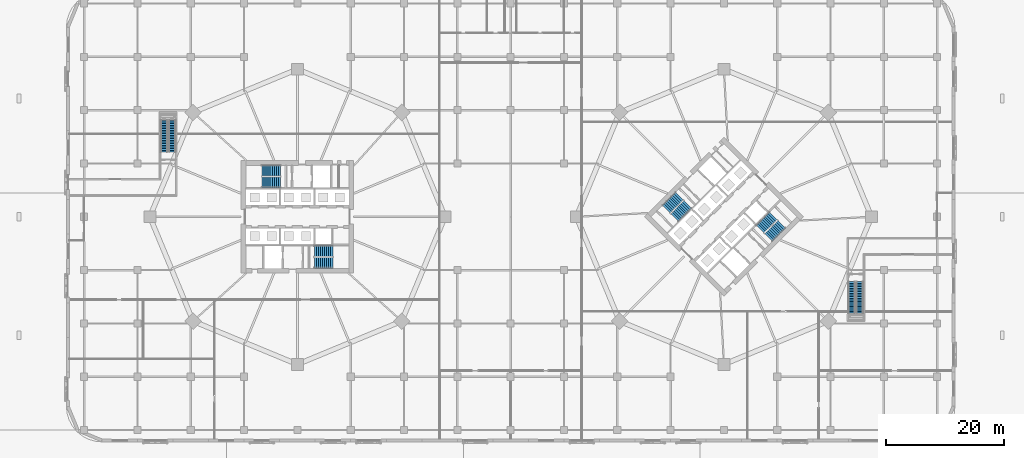
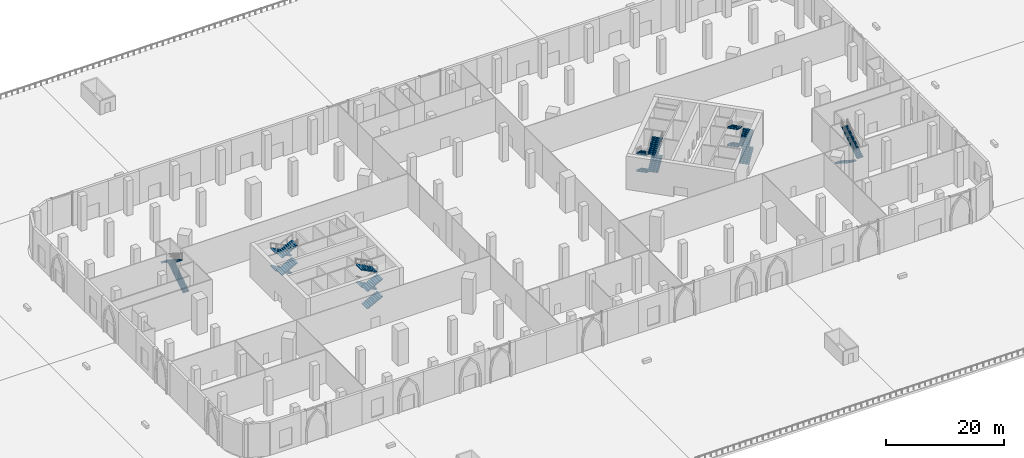
# One storey, part 35 of 48: 20 stair flights, 6 elements without a shape of their own.
"""IFC4 building model written with IfcOpenShell, lengths in metres."""

from ifc_helpers import new_model, si_unit, direction, frame, origin, place, context, subcontext, project, spatial, polyline, outline, extrude, material, type_object, element, aggregate, save


model = new_model("IFC4")

# Units and contexts
model_context = context("Model", 3, precision=1e-05, world=origin(), true_north=direction((0.0, 1.0)))
body_context = subcontext(model_context, "Body", "Model", "MODEL_VIEW")
ifc_project = project(units=[si_unit("LENGTHUNIT", "METRE"), si_unit("AREAUNIT", "SQUARE_METRE"), si_unit("VOLUMEUNIT", "CUBIC_METRE"), si_unit("PLANEANGLEUNIT", "RADIAN"), si_unit("MASSUNIT", "GRAM", prefix="KILO")], contexts=[model_context])

# Site, building, storey
site_placement = place(None, origin())
site = spatial("IfcSite", under=ifc_project, at=site_placement, CompositionType="ELEMENT")
building_placement = place(site_placement, origin())
building = spatial("IfcBuilding", under=site, at=building_placement, Name="Ogive Gate Towers", CompositionType="ELEMENT")
storey_placement = place(building_placement, origin())
storey = spatial("IfcBuildingStorey", under=building, at=storey_placement, Name="L00", CompositionType="ELEMENT", Elevation=0.0)

# Stair, stair flights
ifc_material_1 = material(Name="Reinforced concrete C32/40", Category="concrete")
stair_type_1 = type_object("IfcStairType", Name="Escape stair 180 x 280", PredefinedType="HALF_TURN_STAIR", material=ifc_material_1)
stair_1_placement = place(storey_placement, origin())
stair_1 = element("IfcStair", 1, at=stair_1_placement, inside=storey, type_object=stair_type_1, Name="L00 escape stair", PredefinedType="HALF_TURN_STAIR")
stair_flight_type_1 = type_object("IfcStairFlightType", Name="Escape stair flight 180 x 280", PredefinedType="STRAIGHT", material=ifc_material_1)
stair_flight_1_placement = place(storey_placement, frame((-57.14990234375, 10.949951171875, 0.0), z_axis=(0.0, 0.0, 1.0), x_axis=(0.0, 1.0, 0.0)))
stair_flight_1 = element("IfcStairFlight", 2, at=stair_flight_1_placement, type_object=stair_flight_type_1, Name="PS1 flight 1", NumberOfRisers=20, NumberOfTreads=19, PredefinedType="STRAIGHT", RiserHeight=0.18, TreadLength=0.28, context=body_context, shape_type="SweptSolid", body=[
    extrude(outline(polyline([(0.0, 0.0), (0.0, 0.179931640625), (0.280029296875, 0.179931640625), (0.280029296875, 0.360107421875), (0.56005859375, 0.360107421875), (0.56005859375, 0.5400390625), (0.840087890625, 0.5400390625), (0.840087890625, 0.719970703125), (1.1201171875, 0.719970703125), (1.1201171875, 0.89990234375), (1.39990234375, 0.89990234375), (1.39990234375, 1.080078125), (1.679931640625, 1.080078125), (1.679931640625, 1.260009765625), (1.9599609375, 1.260009765625), (1.9599609375, 1.43994140625), (2.239990234375, 1.43994140625), (2.239990234375, 1.6201171875), (2.52001953125, 1.6201171875), (2.52001953125, 1.800048828125), (2.800048828125, 1.800048828125), (2.800048828125, 1.97998046875), (3.080078125, 1.97998046875), (3.080078125, 2.159912109375), (3.360107421875, 2.159912109375), (3.360107421875, 2.340087890625), (3.639892578125, 2.340087890625), (3.639892578125, 2.52001953125), (3.919921875, 2.52001953125), (3.919921875, 2.699951171875), (4.199951171875, 2.699951171875), (4.199951171875, 2.8798828125), (4.47998046875, 2.8798828125), (4.47998046875, 3.06005859375), (4.760009765625, 3.06005859375), (4.760009765625, 3.239990234375), (5.0400390625, 3.239990234375), (5.0400390625, 3.419921875), (5.320068359375, 3.419921875), (5.320068359375, 3.60009765625), (5.320068359375, 3.24169921875), (0.277099609375, 0.0), (0.0, 0.0)])), frame((0.0, 0.60009765625, 0.0), z_axis=(0.0, -1.0, 0.0), x_axis=(1.0, 0.0, 0.0)), (0.0, 0.0, 1.0), 1.199951171875),
])
stair_flight_2_placement = place(storey_placement, frame((-58.5, 16.27001953125, 3.60009765625), z_axis=(0.0, 0.0, 1.0), x_axis=(0.0, -1.0, 0.0)))
stair_flight_2 = element("IfcStairFlight", 3, at=stair_flight_2_placement, type_object=stair_flight_type_1, Name="PS1 flight 2", NumberOfRisers=20, NumberOfTreads=19, PredefinedType="STRAIGHT", RiserHeight=0.18, TreadLength=0.28, context=body_context, shape_type="SweptSolid", body=[
    extrude(outline(polyline([(0.0, 0.0), (0.0, 0.179931640625), (0.280029296875, 0.179931640625), (0.280029296875, 0.360107421875), (0.56005859375, 0.360107421875), (0.56005859375, 0.5400390625), (0.840087890625, 0.5400390625), (0.840087890625, 0.719970703125), (1.1201171875, 0.719970703125), (1.1201171875, 0.89990234375), (1.39990234375, 0.89990234375), (1.39990234375, 1.080078125), (1.679931640625, 1.080078125), (1.679931640625, 1.260009765625), (1.9599609375, 1.260009765625), (1.9599609375, 1.43994140625), (2.239990234375, 1.43994140625), (2.239990234375, 1.6201171875), (2.52001953125, 1.6201171875), (2.52001953125, 1.800048828125), (2.800048828125, 1.800048828125), (2.800048828125, 1.97998046875), (3.080078125, 1.97998046875), (3.080078125, 2.159912109375), (3.360107421875, 2.159912109375), (3.360107421875, 2.340087890625), (3.639892578125, 2.340087890625), (3.639892578125, 2.52001953125), (3.919921875, 2.52001953125), (3.919921875, 2.699951171875), (4.199951171875, 2.699951171875), (4.199951171875, 2.8798828125), (4.47998046875, 2.8798828125), (4.47998046875, 3.06005859375), (4.760009765625, 3.06005859375), (4.760009765625, 3.239990234375), (5.0400390625, 3.239990234375), (5.0400390625, 3.419921875), (5.320068359375, 3.419921875), (5.320068359375, 3.60009765625), (5.320068359375, 3.24169921875), (0.277099609375, 0.0), (0.0, 0.0)])), frame((0.0, 0.60009765625, 0.0), z_axis=(0.0, -1.0, 0.0), x_axis=(1.0, 0.0, 0.0)), (0.0, 0.0, 1.0), 1.199951171875),
])
aggregate(stair_1, [stair_flight_1, stair_flight_2])

stair_2_placement = place(storey_placement, origin())
stair_2 = element("IfcStair", 4, at=stair_2_placement, inside=storey, type_object=stair_type_1, Name="L00 escape stair", PredefinedType="HALF_TURN_STAIR")
stair_flight_3_placement = place(storey_placement, frame((57.60009765625, -10.949951171875, 0.0), z_axis=(0.0, 0.0, 1.0), x_axis=(0.0, -1.0, 0.0)))
stair_flight_3 = element("IfcStairFlight", 5, at=stair_flight_3_placement, type_object=stair_flight_type_1, Name="PS2 flight 1", NumberOfRisers=20, NumberOfTreads=19, PredefinedType="STRAIGHT", RiserHeight=0.18, TreadLength=0.28, context=body_context, shape_type="SweptSolid", body=[
    extrude(outline(polyline([(0.0, 0.0), (0.0, 0.179931640625), (0.280029296875, 0.179931640625), (0.280029296875, 0.360107421875), (0.56005859375, 0.360107421875), (0.56005859375, 0.5400390625), (0.840087890625, 0.5400390625), (0.840087890625, 0.719970703125), (1.1201171875, 0.719970703125), (1.1201171875, 0.89990234375), (1.39990234375, 0.89990234375), (1.39990234375, 1.080078125), (1.679931640625, 1.080078125), (1.679931640625, 1.260009765625), (1.9599609375, 1.260009765625), (1.9599609375, 1.43994140625), (2.239990234375, 1.43994140625), (2.239990234375, 1.6201171875), (2.52001953125, 1.6201171875), (2.52001953125, 1.800048828125), (2.800048828125, 1.800048828125), (2.800048828125, 1.97998046875), (3.080078125, 1.97998046875), (3.080078125, 2.159912109375), (3.360107421875, 2.159912109375), (3.360107421875, 2.340087890625), (3.639892578125, 2.340087890625), (3.639892578125, 2.52001953125), (3.919921875, 2.52001953125), (3.919921875, 2.699951171875), (4.199951171875, 2.699951171875), (4.199951171875, 2.8798828125), (4.47998046875, 2.8798828125), (4.47998046875, 3.06005859375), (4.760009765625, 3.06005859375), (4.760009765625, 3.239990234375), (5.0400390625, 3.239990234375), (5.0400390625, 3.419921875), (5.320068359375, 3.419921875), (5.320068359375, 3.60009765625), (5.320068359375, 3.24169921875), (0.277099609375, 0.0), (0.0, 0.0)])), frame((0.0, 0.60009765625, 0.0), z_axis=(0.0, -1.0, 0.0), x_axis=(1.0, 0.0, 0.0)), (0.0, 0.0, 1.0), 1.199951171875),
])
stair_flight_4_placement = place(storey_placement, frame((58.949951171875, -16.27001953125, 3.60009765625), z_axis=(0.0, 0.0, 1.0), x_axis=(0.0, 1.0, 0.0)))
stair_flight_4 = element("IfcStairFlight", 6, at=stair_flight_4_placement, type_object=stair_flight_type_1, Name="PS2 flight 2", NumberOfRisers=20, NumberOfTreads=19, PredefinedType="STRAIGHT", RiserHeight=0.18, TreadLength=0.28, context=body_context, shape_type="SweptSolid", body=[
    extrude(outline(polyline([(0.0, 0.0), (0.0, 0.179931640625), (0.280029296875, 0.179931640625), (0.280029296875, 0.360107421875), (0.56005859375, 0.360107421875), (0.56005859375, 0.5400390625), (0.840087890625, 0.5400390625), (0.840087890625, 0.719970703125), (1.1201171875, 0.719970703125), (1.1201171875, 0.89990234375), (1.39990234375, 0.89990234375), (1.39990234375, 1.080078125), (1.679931640625, 1.080078125), (1.679931640625, 1.260009765625), (1.9599609375, 1.260009765625), (1.9599609375, 1.43994140625), (2.239990234375, 1.43994140625), (2.239990234375, 1.6201171875), (2.52001953125, 1.6201171875), (2.52001953125, 1.800048828125), (2.800048828125, 1.800048828125), (2.800048828125, 1.97998046875), (3.080078125, 1.97998046875), (3.080078125, 2.159912109375), (3.360107421875, 2.159912109375), (3.360107421875, 2.340087890625), (3.639892578125, 2.340087890625), (3.639892578125, 2.52001953125), (3.919921875, 2.52001953125), (3.919921875, 2.699951171875), (4.199951171875, 2.699951171875), (4.199951171875, 2.8798828125), (4.47998046875, 2.8798828125), (4.47998046875, 3.06005859375), (4.760009765625, 3.06005859375), (4.760009765625, 3.239990234375), (5.0400390625, 3.239990234375), (5.0400390625, 3.419921875), (5.320068359375, 3.419921875), (5.320068359375, 3.60009765625), (5.320068359375, 3.24169921875), (0.277099609375, 0.0), (0.0, 0.0)])), frame((0.0, 0.60009765625, 0.0), z_axis=(0.0, -1.0, 0.0), x_axis=(1.0, 0.0, 0.0)), (0.0, 0.0, 1.0), 1.199951171875),
])
aggregate(stair_2, [stair_flight_3, stair_flight_4])

ifc_material_2 = material(Name="Concrete C40/50", Category="concrete")
stair_type_2 = type_object("IfcStairType", Name="Escape stair 1840 wide", PredefinedType="HALF_TURN_STAIR", material=ifc_material_2)
stair_3_placement = place(storey_placement, origin())
stair_3 = element("IfcStair", 7, at=stair_3_placement, inside=storey, type_object=stair_type_2, Name="L00 Escape stair 1", PredefinedType="HALF_TURN_STAIR")
stair_flight_type_2 = type_object("IfcStairFlightType", Name="Stair flight 1840 wide", PredefinedType="STRAIGHT", material=ifc_material_2)
stair_flight_5_placement = place(storey_placement, frame((-38.864990234375, 7.780029296875, 0.0), z_axis=(0.0, 0.0, 1.0), x_axis=(-1.0, 0.0, 0.0)))
stair_flight_5 = element("IfcStairFlight", 8, at=stair_flight_5_placement, type_object=stair_flight_type_2, Name="ST1 flight 1", NumberOfRisers=10, NumberOfTreads=9, PredefinedType="STRAIGHT", RiserHeight=0.18, TreadLength=0.345, context=body_context, shape_type="SweptSolid", body=[
    extrude(outline(polyline([(0.0, 0.0), (0.0, 0.179931640625), (0.344970703125, 0.179931640625), (0.344970703125, 0.360107421875), (0.68994140625, 0.360107421875), (0.68994140625, 0.5400390625), (1.034912109375, 0.5400390625), (1.034912109375, 0.719970703125), (1.3798828125, 0.719970703125), (1.3798828125, 0.89990234375), (1.72509765625, 0.89990234375), (1.72509765625, 1.080078125), (2.070068359375, 1.080078125), (2.070068359375, 1.260009765625), (2.4150390625, 1.260009765625), (2.4150390625, 1.43994140625), (2.760009765625, 1.43994140625), (2.760009765625, 1.6201171875), (3.10498046875, 1.6201171875), (3.10498046875, 1.800048828125), (3.10498046875, 1.450927734375), (0.323974609375, 0.0), (0.0, 0.0)])), frame((0.0, 0.919921875, 0.0), z_axis=(0.0, -1.0, 0.0), x_axis=(1.0, 0.0, 0.0)), (0.0, 0.0, 1.0), 1.840087890625),
])
stair_flight_6_placement = place(storey_placement, frame((-41.969970703125, 5.794921875, 1.800048828125), z_axis=(0.0, 0.0, 1.0), x_axis=(1.0, 0.0, 0.0)))
stair_flight_6 = element("IfcStairFlight", 9, at=stair_flight_6_placement, type_object=stair_flight_type_2, Name="ST1 flight 2", NumberOfRisers=10, NumberOfTreads=9, PredefinedType="STRAIGHT", RiserHeight=0.18, TreadLength=0.345, context=body_context, shape_type="SweptSolid", body=[
    extrude(outline(polyline([(0.0, 0.0), (0.0, 0.179931640625), (0.344970703125, 0.179931640625), (0.344970703125, 0.360107421875), (0.68994140625, 0.360107421875), (0.68994140625, 0.5400390625), (1.034912109375, 0.5400390625), (1.034912109375, 0.719970703125), (1.3798828125, 0.719970703125), (1.3798828125, 0.89990234375), (1.72509765625, 0.89990234375), (1.72509765625, 1.080078125), (2.070068359375, 1.080078125), (2.070068359375, 1.260009765625), (2.4150390625, 1.260009765625), (2.4150390625, 1.43994140625), (2.760009765625, 1.43994140625), (2.760009765625, 1.6201171875), (3.10498046875, 1.6201171875), (3.10498046875, 1.800048828125), (3.10498046875, 1.450927734375), (0.323974609375, 0.0), (0.0, 0.0)])), frame((0.0, 0.919921875, 0.0), z_axis=(0.0, -1.0, 0.0), x_axis=(1.0, 0.0, 0.0)), (0.0, 0.0, 1.0), 1.840087890625),
])
stair_flight_7_placement = place(storey_placement, frame((-38.864990234375, 7.780029296875, 3.60009765625), z_axis=(0.0, 0.0, 1.0), x_axis=(-1.0, 0.0, 0.0)))
stair_flight_7 = element("IfcStairFlight", 10, at=stair_flight_7_placement, type_object=stair_flight_type_2, Name="ST1 flight 3", NumberOfRisers=10, NumberOfTreads=9, PredefinedType="STRAIGHT", RiserHeight=0.18, TreadLength=0.345, context=body_context, shape_type="SweptSolid", body=[
    extrude(outline(polyline([(0.0, 0.0), (0.0, 0.179931640625), (0.344970703125, 0.179931640625), (0.344970703125, 0.360107421875), (0.68994140625, 0.360107421875), (0.68994140625, 0.5400390625), (1.034912109375, 0.5400390625), (1.034912109375, 0.719970703125), (1.3798828125, 0.719970703125), (1.3798828125, 0.89990234375), (1.72509765625, 0.89990234375), (1.72509765625, 1.080078125), (2.070068359375, 1.080078125), (2.070068359375, 1.260009765625), (2.4150390625, 1.260009765625), (2.4150390625, 1.43994140625), (2.760009765625, 1.43994140625), (2.760009765625, 1.6201171875), (3.10498046875, 1.6201171875), (3.10498046875, 1.800048828125), (3.10498046875, 1.450927734375), (0.323974609375, 0.0), (0.0, 0.0)])), frame((0.0, 0.919921875, 0.0), z_axis=(0.0, -1.0, 0.0), x_axis=(1.0, 0.0, 0.0)), (0.0, 0.0, 1.0), 1.840087890625),
])
stair_flight_8_placement = place(storey_placement, frame((-41.969970703125, 5.794921875, 5.39990234375), z_axis=(0.0, 0.0, 1.0), x_axis=(1.0, 0.0, 0.0)))
stair_flight_8 = element("IfcStairFlight", 11, at=stair_flight_8_placement, type_object=stair_flight_type_2, Name="ST1 flight 4", NumberOfRisers=10, NumberOfTreads=9, PredefinedType="STRAIGHT", RiserHeight=0.18, TreadLength=0.345, context=body_context, shape_type="SweptSolid", body=[
    extrude(outline(polyline([(0.0, 0.0), (0.0, 0.179931640625), (0.344970703125, 0.179931640625), (0.344970703125, 0.360107421875), (0.68994140625, 0.360107421875), (0.68994140625, 0.5400390625), (1.034912109375, 0.5400390625), (1.034912109375, 0.719970703125), (1.3798828125, 0.719970703125), (1.3798828125, 0.89990234375), (1.72509765625, 0.89990234375), (1.72509765625, 1.080078125), (2.070068359375, 1.080078125), (2.070068359375, 1.260009765625), (2.4150390625, 1.260009765625), (2.4150390625, 1.43994140625), (2.760009765625, 1.43994140625), (2.760009765625, 1.6201171875), (3.10498046875, 1.6201171875), (3.10498046875, 1.800048828125), (3.10498046875, 1.450927734375), (0.323974609375, 0.0), (0.0, 0.0)])), frame((0.0, 0.919921875, 0.0), z_axis=(0.0, -1.0, 0.0), x_axis=(1.0, 0.0, 0.0)), (0.0, 0.0, 1.0), 1.840087890625),
])
aggregate(stair_3, [stair_flight_5, stair_flight_6, stair_flight_7, stair_flight_8])

stair_4_placement = place(storey_placement, origin())
stair_4 = element("IfcStair", 12, at=stair_4_placement, inside=storey, type_object=stair_type_2, Name="L00 Escape stair 2", PredefinedType="HALF_TURN_STAIR")
stair_flight_9_placement = place(storey_placement, frame((-33.135009765625, -7.780029296875, 0.0), z_axis=(0.0, 0.0, 1.0), x_axis=(1.0, 0.0, 0.0)))
stair_flight_9 = element("IfcStairFlight", 13, at=stair_flight_9_placement, type_object=stair_flight_type_2, Name="ST2 flight 1", NumberOfRisers=10, NumberOfTreads=9, PredefinedType="STRAIGHT", RiserHeight=0.18, TreadLength=0.345, context=body_context, shape_type="SweptSolid", body=[
    extrude(outline(polyline([(0.0, 0.0), (0.0, 0.179931640625), (0.344970703125, 0.179931640625), (0.344970703125, 0.360107421875), (0.68994140625, 0.360107421875), (0.68994140625, 0.5400390625), (1.034912109375, 0.5400390625), (1.034912109375, 0.719970703125), (1.3798828125, 0.719970703125), (1.3798828125, 0.89990234375), (1.72509765625, 0.89990234375), (1.72509765625, 1.080078125), (2.070068359375, 1.080078125), (2.070068359375, 1.260009765625), (2.4150390625, 1.260009765625), (2.4150390625, 1.43994140625), (2.760009765625, 1.43994140625), (2.760009765625, 1.6201171875), (3.10498046875, 1.6201171875), (3.10498046875, 1.800048828125), (3.10498046875, 1.450927734375), (0.323974609375, 0.0), (0.0, 0.0)])), frame((0.0, 0.919921875, 0.0), z_axis=(0.0, -1.0, 0.0), x_axis=(1.0, 0.0, 0.0)), (0.0, 0.0, 1.0), 1.840087890625),
])
stair_flight_10_placement = place(storey_placement, frame((-30.030029296875, -5.794921875, 1.800048828125), z_axis=(0.0, 0.0, 1.0), x_axis=(-1.0, 0.0, 0.0)))
stair_flight_10 = element("IfcStairFlight", 14, at=stair_flight_10_placement, type_object=stair_flight_type_2, Name="ST2 flight 2", NumberOfRisers=10, NumberOfTreads=9, PredefinedType="STRAIGHT", RiserHeight=0.18, TreadLength=0.345, context=body_context, shape_type="SweptSolid", body=[
    extrude(outline(polyline([(0.0, 0.0), (0.0, 0.179931640625), (0.344970703125, 0.179931640625), (0.344970703125, 0.360107421875), (0.68994140625, 0.360107421875), (0.68994140625, 0.5400390625), (1.034912109375, 0.5400390625), (1.034912109375, 0.719970703125), (1.3798828125, 0.719970703125), (1.3798828125, 0.89990234375), (1.72509765625, 0.89990234375), (1.72509765625, 1.080078125), (2.070068359375, 1.080078125), (2.070068359375, 1.260009765625), (2.4150390625, 1.260009765625), (2.4150390625, 1.43994140625), (2.760009765625, 1.43994140625), (2.760009765625, 1.6201171875), (3.10498046875, 1.6201171875), (3.10498046875, 1.800048828125), (3.10498046875, 1.450927734375), (0.323974609375, 0.0), (0.0, 0.0)])), frame((0.0, 0.919921875, 0.0), z_axis=(0.0, -1.0, 0.0), x_axis=(1.0, 0.0, 0.0)), (0.0, 0.0, 1.0), 1.840087890625),
])
stair_flight_11_placement = place(storey_placement, frame((-33.135009765625, -7.780029296875, 3.60009765625), z_axis=(0.0, 0.0, 1.0), x_axis=(1.0, 0.0, 0.0)))
stair_flight_11 = element("IfcStairFlight", 15, at=stair_flight_11_placement, type_object=stair_flight_type_2, Name="ST2 flight 3", NumberOfRisers=10, NumberOfTreads=9, PredefinedType="STRAIGHT", RiserHeight=0.18, TreadLength=0.345, context=body_context, shape_type="SweptSolid", body=[
    extrude(outline(polyline([(0.0, 0.0), (0.0, 0.179931640625), (0.344970703125, 0.179931640625), (0.344970703125, 0.360107421875), (0.68994140625, 0.360107421875), (0.68994140625, 0.5400390625), (1.034912109375, 0.5400390625), (1.034912109375, 0.719970703125), (1.3798828125, 0.719970703125), (1.3798828125, 0.89990234375), (1.72509765625, 0.89990234375), (1.72509765625, 1.080078125), (2.070068359375, 1.080078125), (2.070068359375, 1.260009765625), (2.4150390625, 1.260009765625), (2.4150390625, 1.43994140625), (2.760009765625, 1.43994140625), (2.760009765625, 1.6201171875), (3.10498046875, 1.6201171875), (3.10498046875, 1.800048828125), (3.10498046875, 1.450927734375), (0.323974609375, 0.0), (0.0, 0.0)])), frame((0.0, 0.919921875, 0.0), z_axis=(0.0, -1.0, 0.0), x_axis=(1.0, 0.0, 0.0)), (0.0, 0.0, 1.0), 1.840087890625),
])
stair_flight_12_placement = place(storey_placement, frame((-30.030029296875, -5.794921875, 5.39990234375), z_axis=(0.0, 0.0, 1.0), x_axis=(-1.0, 0.0, 0.0)))
stair_flight_12 = element("IfcStairFlight", 16, at=stair_flight_12_placement, type_object=stair_flight_type_2, Name="ST2 flight 4", NumberOfRisers=10, NumberOfTreads=9, PredefinedType="STRAIGHT", RiserHeight=0.18, TreadLength=0.345, context=body_context, shape_type="SweptSolid", body=[
    extrude(outline(polyline([(0.0, 0.0), (0.0, 0.179931640625), (0.344970703125, 0.179931640625), (0.344970703125, 0.360107421875), (0.68994140625, 0.360107421875), (0.68994140625, 0.5400390625), (1.034912109375, 0.5400390625), (1.034912109375, 0.719970703125), (1.3798828125, 0.719970703125), (1.3798828125, 0.89990234375), (1.72509765625, 0.89990234375), (1.72509765625, 1.080078125), (2.070068359375, 1.080078125), (2.070068359375, 1.260009765625), (2.4150390625, 1.260009765625), (2.4150390625, 1.43994140625), (2.760009765625, 1.43994140625), (2.760009765625, 1.6201171875), (3.10498046875, 1.6201171875), (3.10498046875, 1.800048828125), (3.10498046875, 1.450927734375), (0.323974609375, 0.0), (0.0, 0.0)])), frame((0.0, 0.919921875, 0.0), z_axis=(0.0, -1.0, 0.0), x_axis=(1.0, 0.0, 0.0)), (0.0, 0.0, 1.0), 1.840087890625),
])
aggregate(stair_4, [stair_flight_9, stair_flight_10, stair_flight_11, stair_flight_12])

stair_5_placement = place(storey_placement, origin())
stair_5 = element("IfcStair", 17, at=stair_5_placement, inside=storey, type_object=stair_type_2, Name="L00 Escape stair 1", PredefinedType="HALF_TURN_STAIR")
stair_flight_13_placement = place(storey_placement, frame((28.472900390625, 3.475341796875, 0.0), z_axis=(0.0, 0.0, 1.0), x_axis=(-0.707106781187, -0.707106781187, 0.0)))
stair_flight_13 = element("IfcStairFlight", 18, at=stair_flight_13_placement, type_object=stair_flight_type_2, Name="ST1 flight 1", NumberOfRisers=10, NumberOfTreads=9, PredefinedType="STRAIGHT", RiserHeight=0.18, TreadLength=0.345, context=body_context, shape_type="SweptSolid", body=[
    extrude(outline(polyline([(0.0, 0.0), (0.0, 0.179931640625), (0.344970703125, 0.179931640625), (0.344970703125, 0.360107421875), (0.68994140625, 0.360107421875), (0.68994140625, 0.5400390625), (1.034912109375, 0.5400390625), (1.034912109375, 0.719970703125), (1.3798828125, 0.719970703125), (1.3798828125, 0.89990234375), (1.72509765625, 0.89990234375), (1.72509765625, 1.080078125), (2.070068359375, 1.080078125), (2.070068359375, 1.260009765625), (2.4150390625, 1.260009765625), (2.4150390625, 1.43994140625), (2.760009765625, 1.43994140625), (2.760009765625, 1.6201171875), (3.10498046875, 1.6201171875), (3.10498046875, 1.800048828125), (3.10498046875, 1.450927734375), (0.323974609375, 0.0), (0.0, 0.0)])), frame((0.0, 0.919921875, 0.0), z_axis=(0.0, -1.0, 0.0), x_axis=(1.0, 0.0, 0.0)), (0.0, 0.0, 1.0), 1.840087890625),
])
stair_flight_14_placement = place(storey_placement, frame((27.680908203125, -0.123779296875, 1.800048828125), z_axis=(0.0, 0.0, 1.0), x_axis=(0.707106781187, 0.707106781187, 0.0)))
stair_flight_14 = element("IfcStairFlight", 19, at=stair_flight_14_placement, type_object=stair_flight_type_2, Name="ST1 flight 2", NumberOfRisers=10, NumberOfTreads=9, PredefinedType="STRAIGHT", RiserHeight=0.18, TreadLength=0.345, context=body_context, shape_type="SweptSolid", body=[
    extrude(outline(polyline([(0.0, 0.0), (0.0, 0.179931640625), (0.344970703125, 0.179931640625), (0.344970703125, 0.360107421875), (0.68994140625, 0.360107421875), (0.68994140625, 0.5400390625), (1.034912109375, 0.5400390625), (1.034912109375, 0.719970703125), (1.3798828125, 0.719970703125), (1.3798828125, 0.89990234375), (1.72509765625, 0.89990234375), (1.72509765625, 1.080078125), (2.070068359375, 1.080078125), (2.070068359375, 1.260009765625), (2.4150390625, 1.260009765625), (2.4150390625, 1.43994140625), (2.760009765625, 1.43994140625), (2.760009765625, 1.6201171875), (3.10498046875, 1.6201171875), (3.10498046875, 1.800048828125), (3.10498046875, 1.450927734375), (0.323974609375, 0.0), (0.0, 0.0)])), frame((0.0, 0.919921875, 0.0), z_axis=(0.0, -1.0, 0.0), x_axis=(1.0, 0.0, 0.0)), (0.0, 0.0, 1.0), 1.840087890625),
])
stair_flight_15_placement = place(storey_placement, frame((28.472900390625, 3.475341796875, 3.60009765625), z_axis=(0.0, 0.0, 1.0), x_axis=(-0.707106781187, -0.707106781187, 0.0)))
stair_flight_15 = element("IfcStairFlight", 20, at=stair_flight_15_placement, type_object=stair_flight_type_2, Name="ST1 flight 3", NumberOfRisers=10, NumberOfTreads=9, PredefinedType="STRAIGHT", RiserHeight=0.18, TreadLength=0.345, context=body_context, shape_type="SweptSolid", body=[
    extrude(outline(polyline([(0.0, 0.0), (0.0, 0.179931640625), (0.344970703125, 0.179931640625), (0.344970703125, 0.360107421875), (0.68994140625, 0.360107421875), (0.68994140625, 0.5400390625), (1.034912109375, 0.5400390625), (1.034912109375, 0.719970703125), (1.3798828125, 0.719970703125), (1.3798828125, 0.89990234375), (1.72509765625, 0.89990234375), (1.72509765625, 1.080078125), (2.070068359375, 1.080078125), (2.070068359375, 1.260009765625), (2.4150390625, 1.260009765625), (2.4150390625, 1.43994140625), (2.760009765625, 1.43994140625), (2.760009765625, 1.6201171875), (3.10498046875, 1.6201171875), (3.10498046875, 1.800048828125), (3.10498046875, 1.450927734375), (0.323974609375, 0.0), (0.0, 0.0)])), frame((0.0, 0.919921875, 0.0), z_axis=(0.0, -1.0, 0.0), x_axis=(1.0, 0.0, 0.0)), (0.0, 0.0, 1.0), 1.840087890625),
])
stair_flight_16_placement = place(storey_placement, frame((27.680908203125, -0.123779296875, 5.39990234375), z_axis=(0.0, 0.0, 1.0), x_axis=(0.707106781187, 0.707106781187, 0.0)))
stair_flight_16 = element("IfcStairFlight", 21, at=stair_flight_16_placement, type_object=stair_flight_type_2, Name="ST1 flight 4", NumberOfRisers=10, NumberOfTreads=9, PredefinedType="STRAIGHT", RiserHeight=0.18, TreadLength=0.345, context=body_context, shape_type="SweptSolid", body=[
    extrude(outline(polyline([(0.0, 0.0), (0.0, 0.179931640625), (0.344970703125, 0.179931640625), (0.344970703125, 0.360107421875), (0.68994140625, 0.360107421875), (0.68994140625, 0.5400390625), (1.034912109375, 0.5400390625), (1.034912109375, 0.719970703125), (1.3798828125, 0.719970703125), (1.3798828125, 0.89990234375), (1.72509765625, 0.89990234375), (1.72509765625, 1.080078125), (2.070068359375, 1.080078125), (2.070068359375, 1.260009765625), (2.4150390625, 1.260009765625), (2.4150390625, 1.43994140625), (2.760009765625, 1.43994140625), (2.760009765625, 1.6201171875), (3.10498046875, 1.6201171875), (3.10498046875, 1.800048828125), (3.10498046875, 1.450927734375), (0.323974609375, 0.0), (0.0, 0.0)])), frame((0.0, 0.919921875, 0.0), z_axis=(0.0, -1.0, 0.0), x_axis=(1.0, 0.0, 0.0)), (0.0, 0.0, 1.0), 1.840087890625),
])
aggregate(stair_5, [stair_flight_13, stair_flight_14, stair_flight_15, stair_flight_16])

stair_6_placement = place(storey_placement, origin())
stair_6 = element("IfcStair", 22, at=stair_6_placement, inside=storey, type_object=stair_type_2, Name="L00 Escape stair 2", PredefinedType="HALF_TURN_STAIR")
stair_flight_17_placement = place(storey_placement, frame((43.527099609375, -3.475341796875, 0.0), z_axis=(0.0, 0.0, 1.0), x_axis=(0.707106781187, 0.707106781187, 0.0)))
stair_flight_17 = element("IfcStairFlight", 23, at=stair_flight_17_placement, type_object=stair_flight_type_2, Name="ST2 flight 1", NumberOfRisers=10, NumberOfTreads=9, PredefinedType="STRAIGHT", RiserHeight=0.18, TreadLength=0.345, context=body_context, shape_type="SweptSolid", body=[
    extrude(outline(polyline([(0.0, 0.0), (0.0, 0.179931640625), (0.344970703125, 0.179931640625), (0.344970703125, 0.360107421875), (0.68994140625, 0.360107421875), (0.68994140625, 0.5400390625), (1.034912109375, 0.5400390625), (1.034912109375, 0.719970703125), (1.3798828125, 0.719970703125), (1.3798828125, 0.89990234375), (1.72509765625, 0.89990234375), (1.72509765625, 1.080078125), (2.070068359375, 1.080078125), (2.070068359375, 1.260009765625), (2.4150390625, 1.260009765625), (2.4150390625, 1.43994140625), (2.760009765625, 1.43994140625), (2.760009765625, 1.6201171875), (3.10498046875, 1.6201171875), (3.10498046875, 1.800048828125), (3.10498046875, 1.450927734375), (0.323974609375, 0.0), (0.0, 0.0)])), frame((0.0, 0.919921875, 0.0), z_axis=(0.0, -1.0, 0.0), x_axis=(1.0, 0.0, 0.0)), (0.0, 0.0, 1.0), 1.840087890625),
])
stair_flight_18_placement = place(storey_placement, frame((44.319091796875, 0.123779296875, 1.800048828125), z_axis=(0.0, 0.0, 1.0), x_axis=(-0.707106781187, -0.707106781187, 0.0)))
stair_flight_18 = element("IfcStairFlight", 24, at=stair_flight_18_placement, type_object=stair_flight_type_2, Name="ST2 flight 2", NumberOfRisers=10, NumberOfTreads=9, PredefinedType="STRAIGHT", RiserHeight=0.18, TreadLength=0.345, context=body_context, shape_type="SweptSolid", body=[
    extrude(outline(polyline([(0.0, 0.0), (0.0, 0.179931640625), (0.344970703125, 0.179931640625), (0.344970703125, 0.360107421875), (0.68994140625, 0.360107421875), (0.68994140625, 0.5400390625), (1.034912109375, 0.5400390625), (1.034912109375, 0.719970703125), (1.3798828125, 0.719970703125), (1.3798828125, 0.89990234375), (1.72509765625, 0.89990234375), (1.72509765625, 1.080078125), (2.070068359375, 1.080078125), (2.070068359375, 1.260009765625), (2.4150390625, 1.260009765625), (2.4150390625, 1.43994140625), (2.760009765625, 1.43994140625), (2.760009765625, 1.6201171875), (3.10498046875, 1.6201171875), (3.10498046875, 1.800048828125), (3.10498046875, 1.450927734375), (0.323974609375, 0.0), (0.0, 0.0)])), frame((0.0, 0.919921875, 0.0), z_axis=(0.0, -1.0, 0.0), x_axis=(1.0, 0.0, 0.0)), (0.0, 0.0, 1.0), 1.840087890625),
])
stair_flight_19_placement = place(storey_placement, frame((43.527099609375, -3.475341796875, 3.60009765625), z_axis=(0.0, 0.0, 1.0), x_axis=(0.707106781187, 0.707106781187, 0.0)))
stair_flight_19 = element("IfcStairFlight", 25, at=stair_flight_19_placement, type_object=stair_flight_type_2, Name="ST2 flight 3", NumberOfRisers=10, NumberOfTreads=9, PredefinedType="STRAIGHT", RiserHeight=0.18, TreadLength=0.345, context=body_context, shape_type="SweptSolid", body=[
    extrude(outline(polyline([(0.0, 0.0), (0.0, 0.179931640625), (0.344970703125, 0.179931640625), (0.344970703125, 0.360107421875), (0.68994140625, 0.360107421875), (0.68994140625, 0.5400390625), (1.034912109375, 0.5400390625), (1.034912109375, 0.719970703125), (1.3798828125, 0.719970703125), (1.3798828125, 0.89990234375), (1.72509765625, 0.89990234375), (1.72509765625, 1.080078125), (2.070068359375, 1.080078125), (2.070068359375, 1.260009765625), (2.4150390625, 1.260009765625), (2.4150390625, 1.43994140625), (2.760009765625, 1.43994140625), (2.760009765625, 1.6201171875), (3.10498046875, 1.6201171875), (3.10498046875, 1.800048828125), (3.10498046875, 1.450927734375), (0.323974609375, 0.0), (0.0, 0.0)])), frame((0.0, 0.919921875, 0.0), z_axis=(0.0, -1.0, 0.0), x_axis=(1.0, 0.0, 0.0)), (0.0, 0.0, 1.0), 1.840087890625),
])
stair_flight_20_placement = place(storey_placement, frame((44.319091796875, 0.123779296875, 5.39990234375), z_axis=(0.0, 0.0, 1.0), x_axis=(-0.707106781187, -0.707106781187, 0.0)))
stair_flight_20 = element("IfcStairFlight", 26, at=stair_flight_20_placement, type_object=stair_flight_type_2, Name="ST2 flight 4", NumberOfRisers=10, NumberOfTreads=9, PredefinedType="STRAIGHT", RiserHeight=0.18, TreadLength=0.345, context=body_context, shape_type="SweptSolid", body=[
    extrude(outline(polyline([(0.0, 0.0), (0.0, 0.179931640625), (0.344970703125, 0.179931640625), (0.344970703125, 0.360107421875), (0.68994140625, 0.360107421875), (0.68994140625, 0.5400390625), (1.034912109375, 0.5400390625), (1.034912109375, 0.719970703125), (1.3798828125, 0.719970703125), (1.3798828125, 0.89990234375), (1.72509765625, 0.89990234375), (1.72509765625, 1.080078125), (2.070068359375, 1.080078125), (2.070068359375, 1.260009765625), (2.4150390625, 1.260009765625), (2.4150390625, 1.43994140625), (2.760009765625, 1.43994140625), (2.760009765625, 1.6201171875), (3.10498046875, 1.6201171875), (3.10498046875, 1.800048828125), (3.10498046875, 1.450927734375), (0.323974609375, 0.0), (0.0, 0.0)])), frame((0.0, 0.919921875, 0.0), z_axis=(0.0, -1.0, 0.0), x_axis=(1.0, 0.0, 0.0)), (0.0, 0.0, 1.0), 1.840087890625),
])
aggregate(stair_6, [stair_flight_17, stair_flight_18, stair_flight_19, stair_flight_20])

save(model, "model.ifc")
